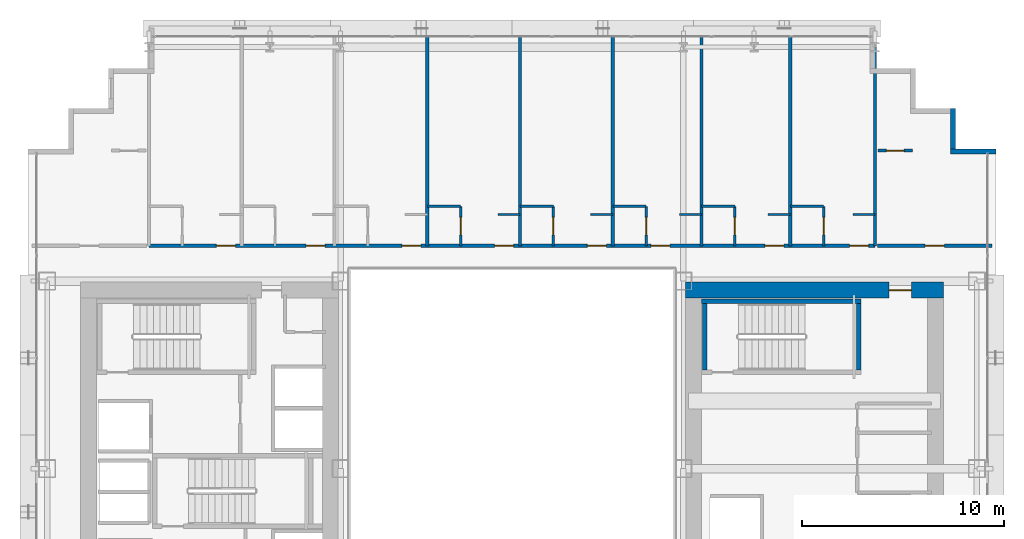
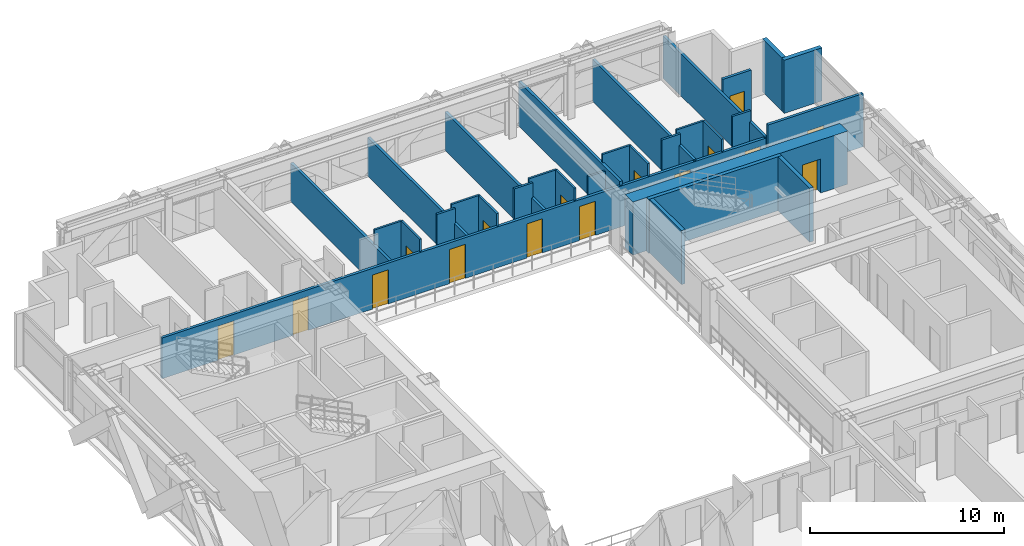
# One storey, part 31 of 36: 30 walls, 16 doors, 16 openings.
"""IFC4 building model written with IfcOpenShell, lengths in metres."""

from ifc_helpers import new_model, si_unit, direction, frame, frame_2d, origin, place, context, subcontext, project, spatial, rectangle, extrude, source, transform, mapped, material, layer, layer_set, type_object, element, fill, save


model = new_model("IFC4")

# Units and contexts
model_context = context("Model", 3, precision=1e-05, world=origin(), true_north=direction((0.0, 1.0)))
body_context = subcontext(model_context, "Body", "Model", "MODEL_VIEW")
ifc_project = project(units=[si_unit("LENGTHUNIT", "METRE"), si_unit("AREAUNIT", "SQUARE_METRE"), si_unit("VOLUMEUNIT", "CUBIC_METRE"), si_unit("PLANEANGLEUNIT", "RADIAN"), si_unit("MASSUNIT", "GRAM", prefix="KILO")], contexts=[model_context])

# Site, building, storey
site_placement = place(None, origin())
site = spatial("IfcSite", under=ifc_project, at=site_placement, CompositionType="ELEMENT")
building_placement = place(site_placement, origin())
building = spatial("IfcBuilding", under=site, at=building_placement, Name="Ocotamira Hotel", CompositionType="ELEMENT")
storey_placement = place(building_placement, frame((0.0, 0.0, 42.0)))
storey = spatial("IfcBuildingStorey", under=building, at=storey_placement, Name="L09", CompositionType="ELEMENT", Elevation=42.0)

# Wall, opening, door
ifc_material_1 = material(Name="Concrete C60/75", Category="concrete")
ifc_layer_1 = layer(ifc_material_1, 0.800048828125)
ifc_layer_set_1 = layer_set([ifc_layer_1], Name="Concrete C60/75")
wall_type_1 = type_object("IfcWallType", Name="WL-CORE-800", PredefinedType="SHEAR", material=ifc_layer_set_1)
wall_1_placement = place(storey_placement, frame((40.60009765625, 37.0, 0.0), z_axis=(0.0, 0.0, 1.0), x_axis=(1.0, 0.0, 0.0)))
wall_1 = element("IfcWall", 1, at=wall_1_placement, inside=storey, type_object=wall_type_1, Name="L09 Shear Core Wall ECORE-N", PredefinedType="SHEAR", context=body_context, shape_type="SweptSolid", body=[
    extrude(rectangle(XDim=12.7998046875, YDim=0.800048828125, at=frame_2d((6.39990234375, 0.0))), origin(), (0.0, 0.0, 1.0), 3.35009765625),
])
opening_1_placement = place(wall_1_placement, frame((10.10009765625, 0.0, 0.0)))
opening_1 = element("IfcOpeningElement", 2, at=opening_1_placement, cuts=wall_1, Name="Opening D-FR1", PredefinedType="OPENING", context=body_context, shape_type="SweptSolid", body=[
    extrude(rectangle(XDim=1.10009765625, YDim=2.14990234375, at=frame_2d((0.550048828125, 1.074951171875))), frame((0.0, 0.41015625, 0.0), z_axis=(0.0, -1.0, 0.0), x_axis=(1.0, 0.0, 0.0)), (0.0, 0.0, 1.0), 0.820068359375),
])
ifc_material_2 = material(Name="Fire-rated acoustic timber-veneer door", Category="wood")
door_type_1 = type_object("IfcDoorType", Name="DR-FIRE-1100", OperationType="NOTDEFINED", PredefinedType="DOOR", material=ifc_material_2)
shared_shape_1 = source(origin(), body_context, "Body", "SweptSolid", [
    extrude(rectangle(XDim=1.10009765625, YDim=2.14990234375, at=frame_2d((0.550048828125, 1.074951171875))), frame((0.0, 0.02490234375, 0.0), z_axis=(0.0, -1.0, 0.0), x_axis=(1.0, 0.0, 0.0)), (0.0, 0.0, 1.0), 0.050048828125),
])
door_1_placement = place(opening_1_placement, origin())
door_1 = element("IfcDoor", 3, at=door_1_placement, inside=storey, type_object=door_type_1, Name="L09 Door ID-L09-ELOB-N-D [ID-L09-ELOB-N-D]", OperationType="SINGLE_SWING_LEFT", OverallHeight=2.14990234375, OverallWidth=1.10009765625, PredefinedType="DOOR", context=body_context, shape_type="MappedRepresentation", body=[
    mapped(shared_shape_1, transform((0.0, 0.0, 0.0), scale=1.0)),
])
fill(opening_1, door_1)

# Walls
ifc_material_3 = material(Name="Precast concrete C45/55", Category="concrete")
ifc_layer_2 = layer(ifc_material_3, 0.25)
ifc_layer_set_2 = layer_set([ifc_layer_2], Name="Precast concrete C45/55")
wall_type_2 = type_object("IfcWallType", Name="WL-EXT-SER-250", PredefinedType="SOLIDWALL", material=ifc_layer_set_2)
wall_2_placement = place(storey_placement, frame((56.0, 43.875, 0.0), z_axis=(0.0, 0.0, 1.0), x_axis=(-1.0, 0.0, 0.0)))
element("IfcWall", 4, at=wall_2_placement, inside=storey, type_object=wall_type_2, Name="L09 Serrated Corner Wall 07", PredefinedType="SOLIDWALL", context=body_context, shape_type="SweptSolid", body=[
    extrude(rectangle(XDim=2.25, YDim=0.25, at=frame_2d((1.125, 0.0))), origin(), (0.0, 0.0, 1.0), 3.35009765625),
])
wall_3_placement = place(storey_placement, frame((53.875, 44.0, 0.0), z_axis=(0.0, 0.0, 1.0), x_axis=(0.0, 1.0, 0.0)))
element("IfcWall", 5, at=wall_3_placement, inside=storey, type_object=wall_type_2, Name="L09 Serrated Corner Wall 08", PredefinedType="SOLIDWALL", context=body_context, shape_type="SweptSolid", body=[
    extrude(rectangle(XDim=2.0, YDim=0.25, at=frame_2d((1.0, 0.0))), origin(), (0.0, 0.0, 1.0), 3.35009765625),
])

# Wall, opening, door
ifc_material_4 = material(Name="Acoustic double-layer fire gypsum board partition", Category="gypsum")
ifc_layer_3 = layer(ifc_material_4, 0.159912109375)
ifc_layer_set_3 = layer_set([ifc_layer_3], Name="Acoustic double-layer fire gypsum board partition")
wall_type_3 = type_object("IfcWallType", Name="WL-FIRE-160", PredefinedType="PARTITIONING", material=ifc_layer_set_3)
wall_4_placement = place(storey_placement, frame((50.1201171875, 39.199951171875, 0.0), z_axis=(0.0, 0.0, 1.0), x_axis=(1.0, 0.0, 0.0)))
wall_4 = element("IfcWall", 6, at=wall_4_placement, inside=storey, type_object=wall_type_3, Name="L09 Interior Wall PW-L09-Z1A-CNE-CW", PredefinedType="PARTITIONING", context=body_context, shape_type="SweptSolid", body=[
    extrude(rectangle(XDim=5.679931640625, YDim=0.159912109375, at=frame_2d((2.83984375, 0.0))), origin(), (0.0, 0.0, 1.0), 3.35009765625),
])
opening_2_placement = place(wall_4_placement, frame((2.360107421875, 0.0, 0.0)))
opening_2 = element("IfcOpeningElement", 7, at=opening_2_placement, cuts=wall_4, Name="Opening D-SV4", PredefinedType="OPENING", context=body_context, shape_type="SweptSolid", body=[
    extrude(rectangle(XDim=0.9599609375, YDim=2.14990234375, at=frame_2d((0.47998046875, 1.074951171875))), frame((0.0, 0.08984375, 0.0), z_axis=(0.0, -1.0, 0.0), x_axis=(1.0, 0.0, 0.0)), (0.0, 0.0, 1.0), 0.179931640625),
])
ifc_material_5 = material(Name="Fire-rated accessible walnut salon door", Category="wood")
door_type_2 = type_object("IfcDoorType", Name="DR-SERV-960", OperationType="NOTDEFINED", PredefinedType="DOOR", material=ifc_material_5)
shared_shape_2 = source(origin(), body_context, "Body", "SweptSolid", [
    extrude(rectangle(XDim=0.9599609375, YDim=2.14990234375, at=frame_2d((0.47998046875, 1.074951171875))), frame((0.0, 0.02490234375, 0.0), z_axis=(0.0, -1.0, 0.0), x_axis=(1.0, 0.0, 0.0)), (0.0, 0.0, 1.0), 0.050048828125),
])
door_2_placement = place(opening_2_placement, origin())
door_2 = element("IfcDoor", 8, at=door_2_placement, inside=storey, type_object=door_type_2, Name="L09 Door ID-L09-Z1A-CNE-CD [ID-L09-Z1A-CNE-CD]", OperationType="SINGLE_SWING_LEFT", OverallHeight=2.14990234375, OverallWidth=0.9599609375, PredefinedType="DOOR", context=body_context, shape_type="MappedRepresentation", body=[
    mapped(shared_shape_2, transform((0.0, 0.0, 0.0), scale=1.0)),
])
fill(opening_2, door_2)

wall_5_placement = place(storey_placement, frame((50.14990234375, 43.919921875, 0.0), z_axis=(0.0, 0.0, 1.0), x_axis=(1.0, 0.0, 0.0)))
wall_5 = element("IfcWall", 9, at=wall_5_placement, inside=storey, type_object=wall_type_3, Name="L09 Interior Wall PW-L09-Z1A-CNE2-CW", PredefinedType="PARTITIONING", context=body_context, shape_type="SweptSolid", body=[
    extrude(rectangle(XDim=1.7001953125, YDim=0.159912109375, at=frame_2d((0.85009765625, 0.0))), origin(), (0.0, 0.0, 1.0), 3.35009765625),
])
opening_3_placement = place(wall_5_placement, frame((0.409912109375, 0.0, 0.0)))
opening_3 = element("IfcOpeningElement", 10, at=opening_3_placement, cuts=wall_5, Name="Opening D-SV2", PredefinedType="OPENING", context=body_context, shape_type="SweptSolid", body=[
    extrude(rectangle(XDim=0.8798828125, YDim=2.14990234375, at=frame_2d((0.43994140625, 1.074951171875))), frame((0.0, 0.08984375, 0.0), z_axis=(0.0, -1.0, 0.0), x_axis=(1.0, 0.0, 0.0)), (0.0, 0.0, 1.0), 0.179931640625),
])
ifc_material_6 = material(Name="Fire-rated painted steel service door", Category="steel")
door_type_3 = type_object("IfcDoorType", Name="DR-SERV-880", OperationType="NOTDEFINED", PredefinedType="DOOR", material=ifc_material_6)
shared_shape_3 = source(origin(), body_context, "Body", "SweptSolid", [
    extrude(rectangle(XDim=0.8798828125, YDim=2.14990234375, at=frame_2d((0.43994140625, 1.074951171875))), frame((0.0, 0.02490234375, 0.0), z_axis=(0.0, -1.0, 0.0), x_axis=(1.0, 0.0, 0.0)), (0.0, 0.0, 1.0), 0.050048828125),
])
door_3_placement = place(opening_3_placement, origin())
door_3 = element("IfcDoor", 11, at=door_3_placement, inside=storey, type_object=door_type_3, Name="L09 Door ID-L09-Z1A-CNE2-CD [ID-L09-Z1A-CNE2-CD]", OperationType="SINGLE_SWING_LEFT", OverallHeight=2.14990234375, OverallWidth=0.8798828125, PredefinedType="DOOR", context=body_context, shape_type="MappedRepresentation", body=[
    mapped(shared_shape_3, transform((0.0, 0.0, 0.0), scale=1.0)),
])
fill(opening_3, door_3)

# Wall, openings, doors
wall_6_placement = place(storey_placement, frame((14.0, 39.199951171875, 0.0), z_axis=(0.0, 0.0, 1.0), x_axis=(1.0, 0.0, 0.0)))
wall_6 = element("IfcWall", 12, at=wall_6_placement, inside=storey, type_object=wall_type_3, Name="L09 Interior Wall PW-L09-Z1AN-CORRW", PredefinedType="PARTITIONING", context=body_context, shape_type="SweptSolid", body=[
    extrude(rectangle(XDim=36.0, YDim=0.159912109375, at=frame_2d((18.0, 0.0))), origin(), (0.0, 0.0, 1.0), 2.571044921875),
])
opening_4_placement = place(wall_6_placement, frame((3.340087890625, 0.0, 0.0)))
opening_4 = element("IfcOpeningElement", 13, at=opening_4_placement, cuts=wall_6, Name="Opening D-GR1", PredefinedType="OPENING", context=body_context, shape_type="SweptSolid", body=[
    extrude(rectangle(XDim=0.93994140625, YDim=2.14990234375, at=frame_2d((0.469970703125, 1.074951171875))), frame((0.0, 0.08984375, 0.0), z_axis=(0.0, -1.0, 0.0), x_axis=(1.0, 0.0, 0.0)), (0.0, 0.0, 1.0), 0.179931640625),
])
opening_5_placement = place(wall_6_placement, frame((7.7900390625, 0.0, 0.0)))
opening_5 = element("IfcOpeningElement", 14, at=opening_5_placement, cuts=wall_6, Name="Opening D-GR1", PredefinedType="OPENING", context=body_context, shape_type="SweptSolid", body=[
    extrude(rectangle(XDim=0.93994140625, YDim=2.14990234375, at=frame_2d((0.469970703125, 1.074951171875))), frame((0.0, 0.08984375, 0.0), z_axis=(0.0, -1.0, 0.0), x_axis=(1.0, 0.0, 0.0)), (0.0, 0.0, 1.0), 0.179931640625),
])
opening_6_placement = place(wall_6_placement, frame((12.5400390625, 0.0, 0.0)))
opening_6 = element("IfcOpeningElement", 15, at=opening_6_placement, cuts=wall_6, Name="Opening D-GR1", PredefinedType="OPENING", context=body_context, shape_type="SweptSolid", body=[
    extrude(rectangle(XDim=0.93994140625, YDim=2.14990234375, at=frame_2d((0.469970703125, 1.074951171875))), frame((0.0, 0.08984375, 0.0), z_axis=(0.0, -1.0, 0.0), x_axis=(1.0, 0.0, 0.0)), (0.0, 0.0, 1.0), 0.179931640625),
])
opening_7_placement = place(wall_6_placement, frame((17.139892578125, 0.0, 0.0)))
opening_7 = element("IfcOpeningElement", 16, at=opening_7_placement, cuts=wall_6, Name="Opening D-GR1", PredefinedType="OPENING", context=body_context, shape_type="SweptSolid", body=[
    extrude(rectangle(XDim=0.93994140625, YDim=2.14990234375, at=frame_2d((0.469970703125, 1.074951171875))), frame((0.0, 0.08984375, 0.0), z_axis=(0.0, -1.0, 0.0), x_axis=(1.0, 0.0, 0.0)), (0.0, 0.0, 1.0), 0.179931640625),
])
opening_8_placement = place(wall_6_placement, frame((21.739990234375, 0.0, 0.0)))
opening_8 = element("IfcOpeningElement", 17, at=opening_8_placement, cuts=wall_6, Name="Opening D-GR1", PredefinedType="OPENING", context=body_context, shape_type="SweptSolid", body=[
    extrude(rectangle(XDim=0.93994140625, YDim=2.14990234375, at=frame_2d((0.469970703125, 1.074951171875))), frame((0.0, 0.08984375, 0.0), z_axis=(0.0, -1.0, 0.0), x_axis=(1.0, 0.0, 0.0)), (0.0, 0.0, 1.0), 0.179931640625),
])
opening_9_placement = place(wall_6_placement, frame((24.889892578125, 0.0, 0.0)))
opening_9 = element("IfcOpeningElement", 18, at=opening_9_placement, cuts=wall_6, Name="Opening D-GR1", PredefinedType="OPENING", context=body_context, shape_type="SweptSolid", body=[
    extrude(rectangle(XDim=0.93994140625, YDim=2.14990234375, at=frame_2d((0.469970703125, 1.074951171875))), frame((0.0, 0.08984375, 0.0), z_axis=(0.0, -1.0, 0.0), x_axis=(1.0, 0.0, 0.0)), (0.0, 0.0, 1.0), 0.179931640625),
])
opening_10_placement = place(wall_6_placement, frame((30.5400390625, 0.0, 0.0)))
opening_10 = element("IfcOpeningElement", 19, at=opening_10_placement, cuts=wall_6, Name="Opening D-GR1", PredefinedType="OPENING", context=body_context, shape_type="SweptSolid", body=[
    extrude(rectangle(XDim=0.93994140625, YDim=2.14990234375, at=frame_2d((0.469970703125, 1.074951171875))), frame((0.0, 0.08984375, 0.0), z_axis=(0.0, -1.0, 0.0), x_axis=(1.0, 0.0, 0.0)), (0.0, 0.0, 1.0), 0.179931640625),
])
opening_11_placement = place(wall_6_placement, frame((34.739990234375, 0.0, 0.0)))
opening_11 = element("IfcOpeningElement", 20, at=opening_11_placement, cuts=wall_6, Name="Opening D-GR1", PredefinedType="OPENING", context=body_context, shape_type="SweptSolid", body=[
    extrude(rectangle(XDim=0.93994140625, YDim=2.14990234375, at=frame_2d((0.469970703125, 1.074951171875))), frame((0.0, 0.08984375, 0.0), z_axis=(0.0, -1.0, 0.0), x_axis=(1.0, 0.0, 0.0)), (0.0, 0.0, 1.0), 0.179931640625),
])
ifc_material_7 = material(Name="Solid-core walnut suite entrance fire door", Category="wood")
door_type_4 = type_object("IfcDoorType", Name="DR-GUEST-940", OperationType="NOTDEFINED", PredefinedType="DOOR", material=ifc_material_7)
shared_shape_4 = source(origin(), body_context, "Body", "SweptSolid", [
    extrude(rectangle(XDim=0.93994140625, YDim=2.14990234375, at=frame_2d((0.469970703125, 1.074951171875))), frame((0.0, 0.02490234375, 0.0), z_axis=(0.0, -1.0, 0.0), x_axis=(1.0, 0.0, 0.0)), (0.0, 0.0, 1.0), 0.050048828125),
])
door_4_placement = place(opening_4_placement, origin())
door_4 = element("IfcDoor", 21, at=door_4_placement, inside=storey, type_object=door_type_4, Name="L09 Door ID-L09-Z1AN-RMD1 [ID-L09-Z1AN-RMD1]", OperationType="SINGLE_SWING_LEFT", OverallHeight=2.14990234375, OverallWidth=0.93994140625, PredefinedType="DOOR", context=body_context, shape_type="MappedRepresentation", body=[
    mapped(shared_shape_4, transform((0.0, 0.0, 0.0), scale=1.0)),
])
fill(opening_4, door_4)
door_5_placement = place(opening_5_placement, origin())
door_5 = element("IfcDoor", 22, at=door_5_placement, inside=storey, type_object=door_type_4, Name="L09 Door ID-L09-Z1AN-RMD2 [ID-L09-Z1AN-RMD2]", OperationType="SINGLE_SWING_RIGHT", OverallHeight=2.14990234375, OverallWidth=0.93994140625, PredefinedType="DOOR", context=body_context, shape_type="MappedRepresentation", body=[
    mapped(shared_shape_4, transform((0.0, 0.0, 0.0), scale=1.0)),
])
fill(opening_5, door_5)
door_6_placement = place(opening_6_placement, origin())
door_6 = element("IfcDoor", 23, at=door_6_placement, inside=storey, type_object=door_type_4, Name="L09 Door ID-L09-Z1AN-RMD3 [ID-L09-Z1AN-RMD3]", OperationType="SINGLE_SWING_LEFT", OverallHeight=2.14990234375, OverallWidth=0.93994140625, PredefinedType="DOOR", context=body_context, shape_type="MappedRepresentation", body=[
    mapped(shared_shape_4, transform((0.0, 0.0, 0.0), scale=1.0)),
])
fill(opening_6, door_6)
door_7_placement = place(opening_7_placement, origin())
door_7 = element("IfcDoor", 24, at=door_7_placement, inside=storey, type_object=door_type_4, Name="L09 Door ID-L09-Z1AN-RMD4 [ID-L09-Z1AN-RMD4]", OperationType="SINGLE_SWING_RIGHT", OverallHeight=2.14990234375, OverallWidth=0.93994140625, PredefinedType="DOOR", context=body_context, shape_type="MappedRepresentation", body=[
    mapped(shared_shape_4, transform((0.0, 0.0, 0.0), scale=1.0)),
])
fill(opening_7, door_7)
door_8_placement = place(opening_8_placement, origin())
door_8 = element("IfcDoor", 25, at=door_8_placement, inside=storey, type_object=door_type_4, Name="L09 Door ID-L09-Z1AN-RMD5 [ID-L09-Z1AN-RMD5]", OperationType="SINGLE_SWING_LEFT", OverallHeight=2.14990234375, OverallWidth=0.93994140625, PredefinedType="DOOR", context=body_context, shape_type="MappedRepresentation", body=[
    mapped(shared_shape_4, transform((0.0, 0.0, 0.0), scale=1.0)),
])
fill(opening_8, door_8)
door_9_placement = place(opening_9_placement, origin())
door_9 = element("IfcDoor", 26, at=door_9_placement, inside=storey, type_object=door_type_4, Name="L09 Door ID-L09-Z1AN-RMD6 [ID-L09-Z1AN-RMD6]", OperationType="SINGLE_SWING_RIGHT", OverallHeight=2.14990234375, OverallWidth=0.93994140625, PredefinedType="DOOR", context=body_context, shape_type="MappedRepresentation", body=[
    mapped(shared_shape_4, transform((0.0, 0.0, 0.0), scale=1.0)),
])
fill(opening_9, door_9)
door_10_placement = place(opening_10_placement, origin())
door_10 = element("IfcDoor", 27, at=door_10_placement, inside=storey, type_object=door_type_4, Name="L09 Door ID-L09-Z1AN-RMD7 [ID-L09-Z1AN-RMD7]", OperationType="SINGLE_SWING_LEFT", OverallHeight=2.14990234375, OverallWidth=0.93994140625, PredefinedType="DOOR", context=body_context, shape_type="MappedRepresentation", body=[
    mapped(shared_shape_4, transform((0.0, 0.0, 0.0), scale=1.0)),
])
fill(opening_10, door_10)
door_11_placement = place(opening_11_placement, origin())
door_11 = element("IfcDoor", 28, at=door_11_placement, inside=storey, type_object=door_type_4, Name="L09 Door ID-L09-Z1AN-RMD8 [ID-L09-Z1AN-RMD8]", OperationType="SINGLE_SWING_RIGHT", OverallHeight=2.14990234375, OverallWidth=0.93994140625, PredefinedType="DOOR", context=body_context, shape_type="MappedRepresentation", body=[
    mapped(shared_shape_4, transform((0.0, 0.0, 0.0), scale=1.0)),
])
fill(opening_11, door_11)

# Wall, opening, door
ifc_material_8 = material(Name="Moisture-resistant en-suite tile and gypsum partition", Category="gypsum")
ifc_layer_4 = layer(ifc_material_8, 0.1201171875)
ifc_layer_set_4 = layer_set([ifc_layer_4], Name="Moisture-resistant en-suite tile and gypsum partition")
wall_type_4 = type_object("IfcWallType", Name="WL-PART-120", PredefinedType="PARTITIONING", material=ifc_layer_set_4)
wall_7_placement = place(storey_placement, frame((29.449951171875, 39.199951171875, 0.0), z_axis=(0.0, 0.0, 1.0), x_axis=(0.0, 1.0, 0.0)))
wall_7 = element("IfcWall", 29, at=wall_7_placement, inside=storey, type_object=wall_type_4, Name="L09 Interior Wall PW-L09-Z1AN-BAE4", PredefinedType="PARTITIONING", context=body_context, shape_type="SweptSolid", body=[
    extrude(rectangle(XDim=1.949951171875, YDim=0.1201171875, at=frame_2d((0.97509765625, 0.0))), origin(), (0.0, 0.0, 1.0), 3.35009765625),
])
opening_12_placement = place(wall_7_placement, frame((0.544921875, 0.0, 0.0)))
opening_12 = element("IfcOpeningElement", 30, at=opening_12_placement, cuts=wall_7, Name="Opening D-BA1", PredefinedType="OPENING", context=body_context, shape_type="SweptSolid", body=[
    extrude(rectangle(XDim=0.860107421875, YDim=2.10009765625, at=frame_2d((0.43017578125, 1.050048828125))), frame((0.0, 0.070068359375, 0.0), z_axis=(0.0, -1.0, 0.0), x_axis=(1.0, 0.0, 0.0)), (0.0, 0.0, 1.0), 0.14013671875),
])
ifc_material_9 = material(Name="Moisture-sealed en-suite timber door", Category="wood")
door_type_5 = type_object("IfcDoorType", Name="DR-BATH-860", OperationType="NOTDEFINED", PredefinedType="DOOR", material=ifc_material_9)
shared_shape_5 = source(origin(), body_context, "Body", "SweptSolid", [
    extrude(rectangle(XDim=0.860107421875, YDim=2.10009765625, at=frame_2d((0.43017578125, 1.050048828125))), frame((0.0, 0.02490234375, 0.0), z_axis=(0.0, -1.0, 0.0), x_axis=(1.0, 0.0, 0.0)), (0.0, 0.0, 1.0), 0.050048828125),
])
door_12_placement = place(opening_12_placement, origin())
door_12 = element("IfcDoor", 31, at=door_12_placement, inside=storey, type_object=door_type_5, Name="L09 Door ID-L09-Z1AN-BAD4 [ID-L09-Z1AN-BAD4]", OperationType="SINGLE_SWING_LEFT", OverallHeight=2.10009765625, OverallWidth=0.860107421875, PredefinedType="DOOR", context=body_context, shape_type="MappedRepresentation", body=[
    mapped(shared_shape_5, transform((0.0, 0.0, 0.0), scale=1.0)),
])
fill(opening_12, door_12)

# Walls
wall_8_placement = place(storey_placement, frame((27.800048828125, 41.14990234375, 0.0), z_axis=(0.0, 0.0, 1.0), x_axis=(1.0, 0.0, 0.0)))
element("IfcWall", 32, at=wall_8_placement, inside=storey, type_object=wall_type_4, Name="L09 Interior Wall PW-L09-Z1AN-BAN4", PredefinedType="PARTITIONING", context=body_context, shape_type="SweptSolid", body=[
    extrude(rectangle(XDim=1.64990234375, YDim=0.1201171875, at=frame_2d((0.824951171875, 0.0))), origin(), (0.0, 0.0, 1.0), 3.35009765625),
])
wall_9_placement = place(storey_placement, frame((31.300048828125, 40.75, 0.0), z_axis=(0.0, 0.0, 1.0), x_axis=(1.0, 0.0, 0.0)))
element("IfcWall", 33, at=wall_9_placement, inside=storey, type_object=wall_type_4, Name="L09 Interior Wall PW-L09-Z1AN-DRN4", PredefinedType="PARTITIONING", context=body_context, shape_type="SweptSolid", body=[
    extrude(rectangle(XDim=1.099853515625, YDim=0.1201171875, at=frame_2d((0.5498046875, 0.0))), origin(), (0.0, 0.0, 1.0), 3.35009765625),
])

# Wall, opening, door
wall_10_placement = place(storey_placement, frame((34.050048828125, 39.199951171875, 0.0), z_axis=(0.0, 0.0, 1.0), x_axis=(0.0, 1.0, 0.0)))
wall_10 = element("IfcWall", 34, at=wall_10_placement, inside=storey, type_object=wall_type_4, Name="L09 Interior Wall PW-L09-Z1AN-BAE5", PredefinedType="PARTITIONING", context=body_context, shape_type="SweptSolid", body=[
    extrude(rectangle(XDim=1.949951171875, YDim=0.1201171875, at=frame_2d((0.97509765625, 0.0))), origin(), (0.0, 0.0, 1.0), 3.35009765625),
])
opening_13_placement = place(wall_10_placement, frame((0.544921875, 0.0, 0.0)))
opening_13 = element("IfcOpeningElement", 35, at=opening_13_placement, cuts=wall_10, Name="Opening D-BA1", PredefinedType="OPENING", context=body_context, shape_type="SweptSolid", body=[
    extrude(rectangle(XDim=0.860107421875, YDim=2.10009765625, at=frame_2d((0.43017578125, 1.050048828125))), frame((0.0, 0.070068359375, 0.0), z_axis=(0.0, -1.0, 0.0), x_axis=(1.0, 0.0, 0.0)), (0.0, 0.0, 1.0), 0.14013671875),
])
door_13_placement = place(opening_13_placement, origin())
door_13 = element("IfcDoor", 36, at=door_13_placement, inside=storey, type_object=door_type_5, Name="L09 Door ID-L09-Z1AN-BAD5 [ID-L09-Z1AN-BAD5]", OperationType="SINGLE_SWING_RIGHT", OverallHeight=2.10009765625, OverallWidth=0.860107421875, PredefinedType="DOOR", context=body_context, shape_type="MappedRepresentation", body=[
    mapped(shared_shape_5, transform((0.0, 0.0, 0.0), scale=1.0)),
])
fill(opening_13, door_13)

# Walls
wall_11_placement = place(storey_placement, frame((32.39990234375, 41.14990234375, 0.0), z_axis=(0.0, 0.0, 1.0), x_axis=(1.0, 0.0, 0.0)))
element("IfcWall", 37, at=wall_11_placement, inside=storey, type_object=wall_type_4, Name="L09 Interior Wall PW-L09-Z1AN-BAN5", PredefinedType="PARTITIONING", context=body_context, shape_type="SweptSolid", body=[
    extrude(rectangle(XDim=1.650146484375, YDim=0.1201171875, at=frame_2d((0.8251953125, 0.0))), origin(), (0.0, 0.0, 1.0), 3.35009765625),
])
wall_12_placement = place(storey_placement, frame((35.89990234375, 40.75, 0.0), z_axis=(0.0, 0.0, 1.0), x_axis=(1.0, 0.0, 0.0)))
element("IfcWall", 38, at=wall_12_placement, inside=storey, type_object=wall_type_4, Name="L09 Interior Wall PW-L09-Z1AN-DRN5", PredefinedType="PARTITIONING", context=body_context, shape_type="SweptSolid", body=[
    extrude(rectangle(XDim=1.10009765625, YDim=0.1201171875, at=frame_2d((0.550048828125, 0.0))), origin(), (0.0, 0.0, 1.0), 3.35009765625),
])

# Wall, opening, door
wall_13_placement = place(storey_placement, frame((38.64990234375, 39.199951171875, 0.0), z_axis=(0.0, 0.0, 1.0), x_axis=(0.0, 1.0, 0.0)))
wall_13 = element("IfcWall", 39, at=wall_13_placement, inside=storey, type_object=wall_type_4, Name="L09 Interior Wall PW-L09-Z1AN-BAE6", PredefinedType="PARTITIONING", context=body_context, shape_type="SweptSolid", body=[
    extrude(rectangle(XDim=1.949951171875, YDim=0.1201171875, at=frame_2d((0.97509765625, 0.0))), origin(), (0.0, 0.0, 1.0), 3.35009765625),
])
opening_14_placement = place(wall_13_placement, frame((0.544921875, 0.0, 0.0)))
opening_14 = element("IfcOpeningElement", 40, at=opening_14_placement, cuts=wall_13, Name="Opening D-BA1", PredefinedType="OPENING", context=body_context, shape_type="SweptSolid", body=[
    extrude(rectangle(XDim=0.860107421875, YDim=2.10009765625, at=frame_2d((0.43017578125, 1.050048828125))), frame((0.0, 0.070068359375, 0.0), z_axis=(0.0, -1.0, 0.0), x_axis=(1.0, 0.0, 0.0)), (0.0, 0.0, 1.0), 0.14013671875),
])
door_14_placement = place(opening_14_placement, origin())
door_14 = element("IfcDoor", 41, at=door_14_placement, inside=storey, type_object=door_type_5, Name="L09 Door ID-L09-Z1AN-BAD6 [ID-L09-Z1AN-BAD6]", OperationType="SINGLE_SWING_LEFT", OverallHeight=2.10009765625, OverallWidth=0.860107421875, PredefinedType="DOOR", context=body_context, shape_type="MappedRepresentation", body=[
    mapped(shared_shape_5, transform((0.0, 0.0, 0.0), scale=1.0)),
])
fill(opening_14, door_14)

# Walls
wall_14_placement = place(storey_placement, frame((37.0, 41.14990234375, 0.0), z_axis=(0.0, 0.0, 1.0), x_axis=(1.0, 0.0, 0.0)))
element("IfcWall", 42, at=wall_14_placement, inside=storey, type_object=wall_type_4, Name="L09 Interior Wall PW-L09-Z1AN-BAN6", PredefinedType="PARTITIONING", context=body_context, shape_type="SweptSolid", body=[
    extrude(rectangle(XDim=1.64990234375, YDim=0.1201171875, at=frame_2d((0.824951171875, 0.0))), origin(), (0.0, 0.0, 1.0), 3.35009765625),
])
wall_15_placement = place(storey_placement, frame((40.300048828125, 40.75, 0.0), z_axis=(0.0, 0.0, 1.0), x_axis=(1.0, 0.0, 0.0)))
element("IfcWall", 43, at=wall_15_placement, inside=storey, type_object=wall_type_4, Name="L09 Interior Wall PW-L09-Z1AN-DRN6", PredefinedType="PARTITIONING", context=body_context, shape_type="SweptSolid", body=[
    extrude(rectangle(XDim=1.099853515625, YDim=0.1201171875, at=frame_2d((0.5498046875, 0.0))), origin(), (0.0, 0.0, 1.0), 2.571044921875),
])

# Wall, opening, door
wall_16_placement = place(storey_placement, frame((43.050048828125, 39.199951171875, 0.0), z_axis=(0.0, 0.0, 1.0), x_axis=(0.0, 1.0, 0.0)))
wall_16 = element("IfcWall", 44, at=wall_16_placement, inside=storey, type_object=wall_type_4, Name="L09 Interior Wall PW-L09-Z1AN-BAE7", PredefinedType="PARTITIONING", context=body_context, shape_type="SweptSolid", body=[
    extrude(rectangle(XDim=1.949951171875, YDim=0.1201171875, at=frame_2d((0.97509765625, 0.0))), origin(), (0.0, 0.0, 1.0), 3.35009765625),
])
opening_15_placement = place(wall_16_placement, frame((0.544921875, 0.0, 0.0)))
opening_15 = element("IfcOpeningElement", 45, at=opening_15_placement, cuts=wall_16, Name="Opening D-BA1", PredefinedType="OPENING", context=body_context, shape_type="SweptSolid", body=[
    extrude(rectangle(XDim=0.860107421875, YDim=2.10009765625, at=frame_2d((0.43017578125, 1.050048828125))), frame((0.0, 0.070068359375, 0.0), z_axis=(0.0, -1.0, 0.0), x_axis=(1.0, 0.0, 0.0)), (0.0, 0.0, 1.0), 0.14013671875),
])
door_15_placement = place(opening_15_placement, origin())
door_15 = element("IfcDoor", 46, at=door_15_placement, inside=storey, type_object=door_type_5, Name="L09 Door ID-L09-Z1AN-BAD7 [ID-L09-Z1AN-BAD7]", OperationType="SINGLE_SWING_RIGHT", OverallHeight=2.10009765625, OverallWidth=0.860107421875, PredefinedType="DOOR", context=body_context, shape_type="MappedRepresentation", body=[
    mapped(shared_shape_5, transform((0.0, 0.0, 0.0), scale=1.0)),
])
fill(opening_15, door_15)

# Walls
wall_17_placement = place(storey_placement, frame((41.39990234375, 41.14990234375, 0.0), z_axis=(0.0, 0.0, 1.0), x_axis=(1.0, 0.0, 0.0)))
element("IfcWall", 47, at=wall_17_placement, inside=storey, type_object=wall_type_4, Name="L09 Interior Wall PW-L09-Z1AN-BAN7", PredefinedType="PARTITIONING", context=body_context, shape_type="SweptSolid", body=[
    extrude(rectangle(XDim=1.650146484375, YDim=0.1201171875, at=frame_2d((0.8251953125, 0.0))), origin(), (0.0, 0.0, 1.0), 3.35009765625),
])
wall_18_placement = place(storey_placement, frame((44.699951171875, 40.75, 0.0), z_axis=(0.0, 0.0, 1.0), x_axis=(1.0, 0.0, 0.0)))
element("IfcWall", 48, at=wall_18_placement, inside=storey, type_object=wall_type_4, Name="L09 Interior Wall PW-L09-Z1AN-DRN7", PredefinedType="PARTITIONING", context=body_context, shape_type="SweptSolid", body=[
    extrude(rectangle(XDim=1.10009765625, YDim=0.1201171875, at=frame_2d((0.550048828125, 0.0))), origin(), (0.0, 0.0, 1.0), 3.35009765625),
])

# Wall, opening, door
wall_19_placement = place(storey_placement, frame((47.449951171875, 39.199951171875, 0.0), z_axis=(0.0, 0.0, 1.0), x_axis=(0.0, 1.0, 0.0)))
wall_19 = element("IfcWall", 49, at=wall_19_placement, inside=storey, type_object=wall_type_4, Name="L09 Interior Wall PW-L09-Z1AN-BAE8", PredefinedType="PARTITIONING", context=body_context, shape_type="SweptSolid", body=[
    extrude(rectangle(XDim=1.949951171875, YDim=0.1201171875, at=frame_2d((0.97509765625, 0.0))), origin(), (0.0, 0.0, 1.0), 3.35009765625),
])
opening_16_placement = place(wall_19_placement, frame((0.544921875, 0.0, 0.0)))
opening_16 = element("IfcOpeningElement", 50, at=opening_16_placement, cuts=wall_19, Name="Opening D-BA1", PredefinedType="OPENING", context=body_context, shape_type="SweptSolid", body=[
    extrude(rectangle(XDim=0.860107421875, YDim=2.10009765625, at=frame_2d((0.43017578125, 1.050048828125))), frame((0.0, 0.070068359375, 0.0), z_axis=(0.0, -1.0, 0.0), x_axis=(1.0, 0.0, 0.0)), (0.0, 0.0, 1.0), 0.14013671875),
])
door_16_placement = place(opening_16_placement, origin())
door_16 = element("IfcDoor", 51, at=door_16_placement, inside=storey, type_object=door_type_5, Name="L09 Door ID-L09-Z1AN-BAD8 [ID-L09-Z1AN-BAD8]", OperationType="SINGLE_SWING_LEFT", OverallHeight=2.10009765625, OverallWidth=0.860107421875, PredefinedType="DOOR", context=body_context, shape_type="MappedRepresentation", body=[
    mapped(shared_shape_5, transform((0.0, 0.0, 0.0), scale=1.0)),
])
fill(opening_16, door_16)

# Walls
wall_20_placement = place(storey_placement, frame((45.800048828125, 41.14990234375, 0.0), z_axis=(0.0, 0.0, 1.0), x_axis=(1.0, 0.0, 0.0)))
element("IfcWall", 52, at=wall_20_placement, inside=storey, type_object=wall_type_4, Name="L09 Interior Wall PW-L09-Z1AN-BAN8", PredefinedType="PARTITIONING", context=body_context, shape_type="SweptSolid", body=[
    extrude(rectangle(XDim=1.64990234375, YDim=0.1201171875, at=frame_2d((0.824951171875, 0.0))), origin(), (0.0, 0.0, 1.0), 3.35009765625),
])
wall_21_placement = place(storey_placement, frame((48.89990234375, 40.75, 0.0), z_axis=(0.0, 0.0, 1.0), x_axis=(1.0, 0.0, 0.0)))
element("IfcWall", 53, at=wall_21_placement, inside=storey, type_object=wall_type_4, Name="L09 Interior Wall PW-L09-Z1AN-DRN8", PredefinedType="PARTITIONING", context=body_context, shape_type="SweptSolid", body=[
    extrude(rectangle(XDim=1.10009765625, YDim=0.1201171875, at=frame_2d((0.550048828125, 0.0))), origin(), (0.0, 0.0, 1.0), 3.35009765625),
])
ifc_material_10 = material(Name="Acoustic double-stud hospitality gypsum partition", Category="gypsum")
ifc_layer_5 = layer(ifc_material_10, 0.159912109375)
ifc_layer_set_5 = layer_set([ifc_layer_5], Name="Acoustic double-stud hospitality gypsum partition")
wall_type_5 = type_object("IfcWallType", Name="WL-PART-160", PredefinedType="PARTITIONING", material=ifc_layer_set_5)
wall_22_placement = place(storey_placement, frame((50.0, 39.199951171875, 0.0), z_axis=(0.0, 0.0, 1.0), x_axis=(0.0, 1.0, 0.0)))
element("IfcWall", 54, at=wall_22_placement, inside=storey, type_object=wall_type_5, Name="L09 Interior Wall PW-L09-Z1AN-PWEND", PredefinedType="PARTITIONING", context=body_context, shape_type="SweptSolid", body=[
    extrude(rectangle(XDim=10.43994140625, YDim=0.159912109375, at=frame_2d((5.219970703125, 0.0))), origin(), (0.0, 0.0, 1.0), 2.656982421875),
])
for number, where, z_axis, x_axis, name in (
    (55, (27.800048828125, 39.199951171875, 0.0), (0.0, 0.0, 1.0), (0.0, 1.0, 0.0), "L09 Interior Wall PW-L09-Z1AN-PW3"),
    (56, (32.39990234375, 39.199951171875, 0.0), (0.0, 0.0, 1.0), (0.0, 1.0, 0.0), "L09 Interior Wall PW-L09-Z1AN-PW4"),
    (57, (37.0, 39.199951171875, 0.0), (0.0, 0.0, 1.0), (0.0, 1.0, 0.0), "L09 Interior Wall PW-L09-Z1AN-PW5"),
):
    element("IfcWall", number, at=place(storey_placement, frame(where, z_axis=z_axis, x_axis=x_axis)), inside=storey, type_object=wall_type_5, Name=name, PredefinedType="PARTITIONING", context=body_context, shape_type="SweptSolid", body=[
        extrude(rectangle(XDim=10.43994140625, YDim=0.159912109375, at=frame_2d((5.219970703125, 0.0))), origin(), (0.0, 0.0, 1.0), 2.423095703125),
    ])
wall_23_placement = place(storey_placement, frame((41.39990234375, 39.199951171875, 0.0), z_axis=(0.0, 0.0, 1.0), x_axis=(0.0, 1.0, 0.0)))
element("IfcWall", 58, at=wall_23_placement, inside=storey, type_object=wall_type_5, Name="L09 Interior Wall PW-L09-Z1AN-PW6", PredefinedType="PARTITIONING", context=body_context, shape_type="SweptSolid", body=[
    extrude(rectangle(XDim=10.43994140625, YDim=0.159912109375, at=frame_2d((5.219970703125, 0.0))), origin(), (0.0, 0.0, 1.0), 2.81298828125),
])
wall_24_placement = place(storey_placement, frame((45.800048828125, 39.199951171875, 0.0), z_axis=(0.0, 0.0, 1.0), x_axis=(0.0, 1.0, 0.0)))
element("IfcWall", 59, at=wall_24_placement, inside=storey, type_object=wall_type_5, Name="L09 Interior Wall PW-L09-Z1AN-PW7", PredefinedType="PARTITIONING", context=body_context, shape_type="SweptSolid", body=[
    extrude(rectangle(XDim=10.43994140625, YDim=0.159912109375, at=frame_2d((5.219970703125, 0.0))), origin(), (0.0, 0.0, 1.0), 2.656982421875),
])
ifc_material_11 = material(Name="Concrete C50/60", Category="concrete")
ifc_layer_6 = layer(ifc_material_11, 0.219970703125)
ifc_layer_set_6 = layer_set([ifc_layer_6], Name="Concrete C50/60")
wall_type_6 = type_object("IfcWallType", Name="WL-STAIR-220", PredefinedType="SHEAR", material=ifc_layer_set_6)
wall_25_placement = place(storey_placement, frame((41.39990234375, 36.43994140625, 0.0), z_axis=(0.0, 0.0, 1.0), x_axis=(1.0, 0.0, 0.0)))
element("IfcWall", 60, at=wall_25_placement, inside=storey, type_object=wall_type_6, Name="L09 Stair Shaft Structural Wall ST-4-N", PredefinedType="SHEAR", context=body_context, shape_type="SweptSolid", body=[
    extrude(rectangle(XDim=7.91015625, YDim=0.219970703125, at=frame_2d((3.955078125, 0.0))), origin(), (0.0, 0.0, 1.0), 3.39990234375),
])
for number, where, z_axis, x_axis, name in (
    (61, (41.56005859375, 33.050048828125, 0.0), (0.0, 0.0, 1.0), (0.0, 1.0, 0.0), "L09 Stair Shaft Structural Wall ST-4-W"),
    (62, (49.199951171875, 33.050048828125, 0.0), (0.0, 0.0, 1.0), (0.0, 1.0, 0.0), "L09 Stair Shaft Structural Wall ST-4-E"),
):
    element("IfcWall", number, at=place(storey_placement, frame(where, z_axis=z_axis, x_axis=x_axis)), inside=storey, type_object=wall_type_6, Name=name, PredefinedType="SHEAR", context=body_context, shape_type="SweptSolid", body=[
        extrude(rectangle(XDim=3.280029296875, YDim=0.219970703125, at=frame_2d((1.64013671875, 0.0))), origin(), (0.0, 0.0, 1.0), 3.39990234375),
    ])

save(model, "model.ifc")
